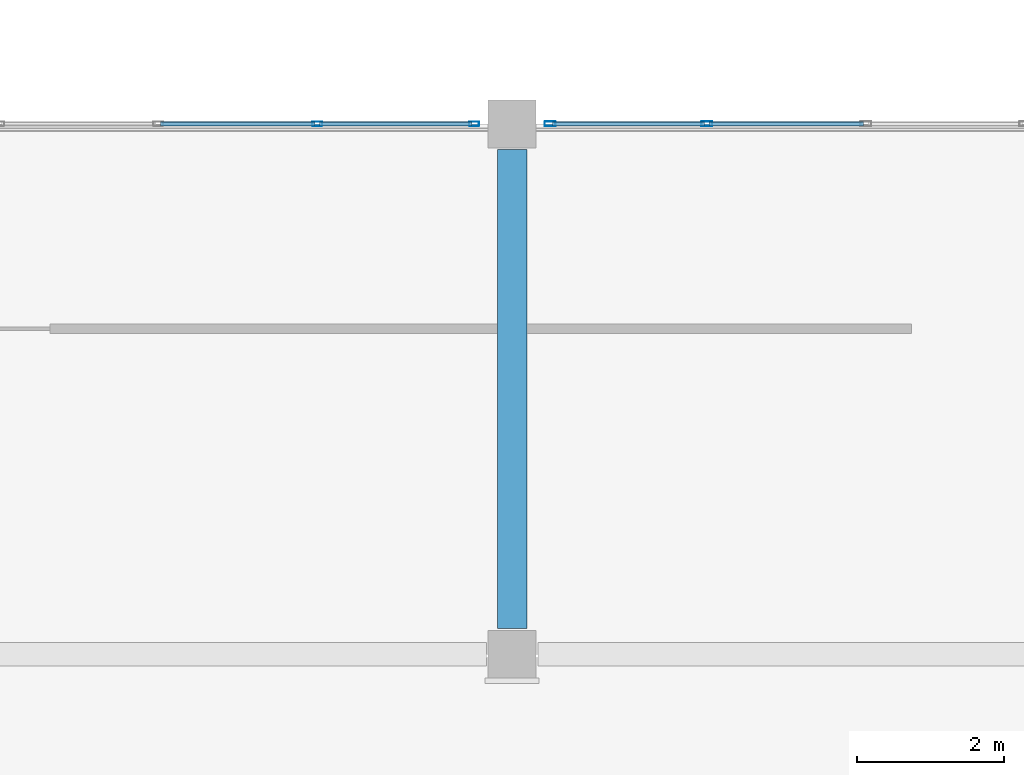
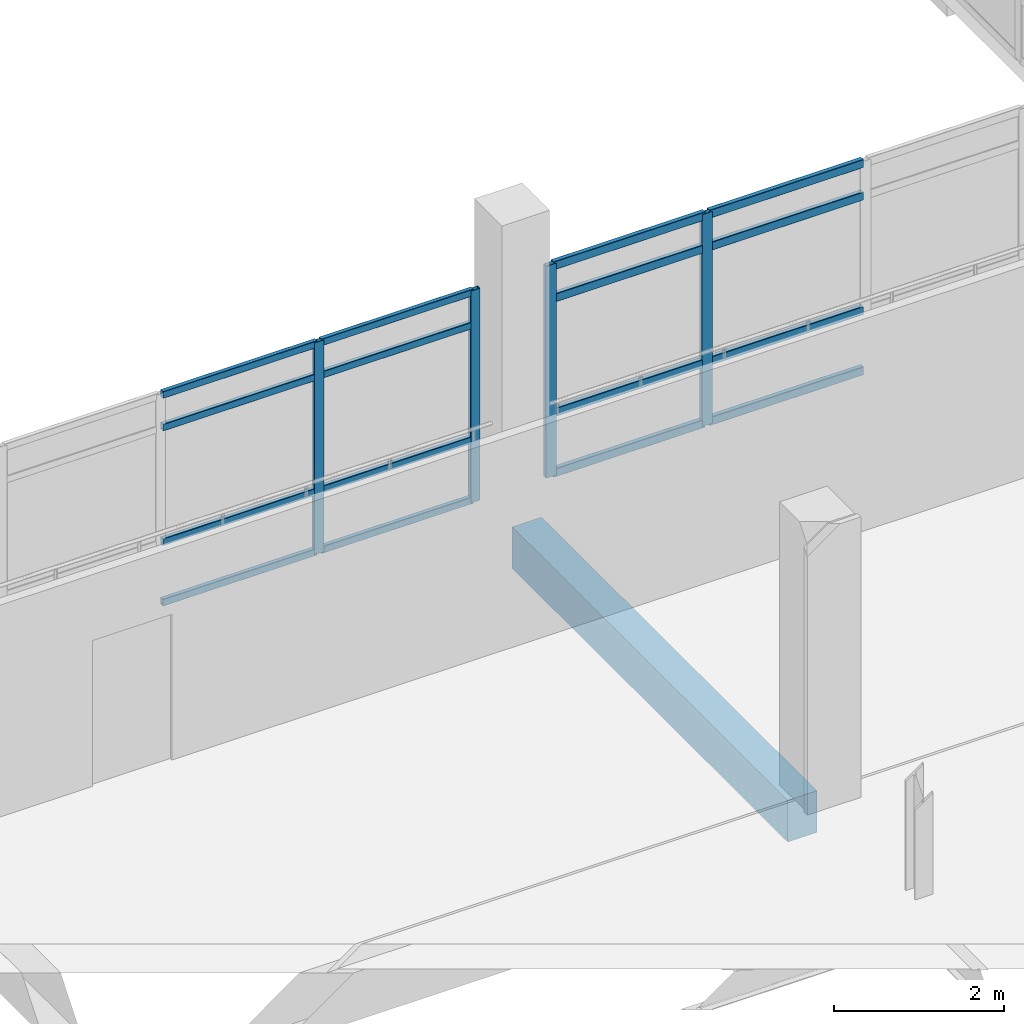
# One storey, part 19 of 72: 20 members, 1 beam, 2 elements without a shape of their own.
"""IFC4 building model written with IfcOpenShell, lengths in metres."""

from ifc_helpers import new_model, si_unit, direction, frame, origin, origin_2d, place, context, subcontext, project, spatial, rectangle, hollow_rectangle, extrude, material, layer, layer_set, material_profile, profile_set, type_object, element, aggregate, save


model = new_model("IFC4")

# Units and contexts
model_context = context("Model", 3, precision=1e-05, world=origin(), true_north=direction((0.0, 1.0)))
body_context = subcontext(model_context, "Body", "Model", "MODEL_VIEW")
ifc_project = project(units=[si_unit("LENGTHUNIT", "METRE"), si_unit("AREAUNIT", "SQUARE_METRE"), si_unit("VOLUMEUNIT", "CUBIC_METRE"), si_unit("PLANEANGLEUNIT", "RADIAN"), si_unit("MASSUNIT", "GRAM", prefix="KILO")], contexts=[model_context])

# Site, building, storey
site_placement = place(None, origin())
site = spatial("IfcSite", under=ifc_project, at=site_placement, CompositionType="ELEMENT")
building_placement = place(site_placement, origin())
building = spatial("IfcBuilding", under=site, at=building_placement, Name="Asteropetra Specialist Clinic", CompositionType="ELEMENT")
storey_placement = place(building_placement, frame((0.0, 0.0, 12.580078125)))
storey = spatial("IfcBuildingStorey", under=building, at=storey_placement, Name="L03", CompositionType="ELEMENT", Elevation=12.580078125)

# Beam
ifc_material_1 = material(Name="Concrete C35/45", Category="concrete")
ifc_material_profile_1 = material_profile(ifc_material_1, rectangle(XDim=0.39990234375, YDim=0.60009765625, at=origin_2d()), Name="RCB 400x600")
ifc_profile_set_1 = profile_set([ifc_material_profile_1], Name="Concrete C35/45")
beam_type = type_object("IfcBeamType", Name="BM-RC400x600", PredefinedType="BEAM", material=ifc_profile_set_1)
beam_placement = place(storey_placement, frame((19.199951171875, 69.949951171875, -0.580078125), z_axis=(0.0, 1.0, 0.0), x_axis=(-1.0, 0.0, 0.0)))
element("IfcBeam", 1, at=beam_placement, inside=storey, type_object=beam_type, Name="Beam BBM08-1598", PredefinedType="BEAM", context=body_context, shape_type="SweptSolid", body=[
    extrude(rectangle(XDim=0.39990234375, YDim=0.60009765625, at=origin_2d()), origin(), (0.0, 0.0, 1.0), 6.5),
])

# Curtain wall, members
ifc_material_2 = material(Name="Aluminium and low-E glass", Category="aluminium")
ifc_layer_1 = layer(ifc_material_2, 0.14990234375)
ifc_layer_set_1 = layer_set([ifc_layer_1], Name="Aluminium and low-E glass")
curtain_wall_type_1 = type_object("IfcCurtainWallType", Name="CW-SYS-02", PredefinedType="USERDEFINED", material=ifc_layer_set_1)
curtain_wall_1_placement = place(storey_placement, origin())
curtain_wall_1 = element("IfcCurtainWall", 2, at=curtain_wall_1_placement, inside=storey, type_object=curtain_wall_type_1, Name="Curtain Wall CW-041", ObjectType="UNITISED CURTAIN WALL", PredefinedType="USERDEFINED")
ifc_material_3 = material(Name="Aluminium 6063-T6", Category="aluminium")
ifc_material_profile_2 = material_profile(ifc_material_3, hollow_rectangle(XDim=0.06005859375, YDim=0.135009765625, WallThickness=0.00341796875, InnerFilletRadius=0.00341796875, OuterFilletRadius=0.007080078125, at=origin_2d()), Name="MUL 135x60x3.5")
ifc_profile_set_2 = profile_set([ifc_material_profile_2], Name="Aluminium 6063-T6")
member_type_1 = type_object("IfcMemberType", Name="CWM-135x60", PredefinedType="MULLION", material=ifc_profile_set_2)
member_1_placement = place(storey_placement, frame((16.5576171875, 76.800048828125, 0.0), z_axis=(0.0, 0.0, 1.0), x_axis=(0.0, 1.0, 0.0)))
member_1 = element("IfcMember", 3, at=member_1_placement, type_object=member_type_1, Name="CW-041 mullion 4", PredefinedType="MULLION", context=body_context, shape_type="SweptSolid", body=[
    extrude(hollow_rectangle(XDim=0.06005859375, YDim=0.135009765625, WallThickness=0.00341796875, InnerFilletRadius=0.00341796875, OuterFilletRadius=0.007080078125, at=origin_2d()), origin(), (0.0, 0.0, 1.0), 3.0498046875),
])
member_2_placement = place(storey_placement, frame((18.68505859375, 76.800048828125, 0.0), z_axis=(0.0, 0.0, 1.0), x_axis=(0.0, 1.0, 0.0)))
member_2 = element("IfcMember", 4, at=member_2_placement, type_object=member_type_1, Name="CW-041 mullion 5", PredefinedType="MULLION", context=body_context, shape_type="SweptSolid", body=[
    extrude(hollow_rectangle(XDim=0.06005859375, YDim=0.135009765625, WallThickness=0.00341796875, InnerFilletRadius=0.00341796875, OuterFilletRadius=0.007080078125, at=origin_2d()), origin(), (0.0, 0.0, 1.0), 3.0498046875),
])

ifc_material_4 = material(Name="Aluminium and low-E glass", Category="aluminium")
ifc_layer_2 = layer(ifc_material_4, 0.135009765625)
ifc_layer_set_2 = layer_set([ifc_layer_2], Name="Aluminium and low-E glass")
curtain_wall_type_2 = type_object("IfcCurtainWallType", Name="CW-SYS-03", PredefinedType="USERDEFINED", material=ifc_layer_set_2)
curtain_wall_2_placement = place(storey_placement, origin())
curtain_wall_2 = element("IfcCurtainWall", 5, at=curtain_wall_2_placement, inside=storey, type_object=curtain_wall_type_2, Name="Curtain Wall CW-043", ObjectType="UNITISED CURTAIN WALL", PredefinedType="USERDEFINED")
ifc_material_5 = material(Name="Aluminium 6063-T6", Category="aluminium")
ifc_material_profile_3 = material_profile(ifc_material_5, hollow_rectangle(XDim=0.06494140625, YDim=0.14990234375, WallThickness=0.00390625, InnerFilletRadius=0.00390625, OuterFilletRadius=0.008056640625, at=origin_2d()), Name="MUL 150x65x4.0")
ifc_profile_set_3 = profile_set([ifc_material_profile_3], Name="Aluminium 6063-T6")
member_type_2 = type_object("IfcMemberType", Name="CWM-150x65", PredefinedType="MULLION", material=ifc_profile_set_3)
member_3_placement = place(storey_placement, frame((19.717529296875, 76.800048828125, 0.0), z_axis=(0.0, 0.0, 1.0), x_axis=(0.0, 1.0, 0.0)))
member_3 = element("IfcMember", 6, at=member_3_placement, type_object=member_type_2, Name="CW-043 mullion 1", PredefinedType="MULLION", context=body_context, shape_type="SweptSolid", body=[
    extrude(hollow_rectangle(XDim=0.06494140625, YDim=0.14990234375, WallThickness=0.00390625, InnerFilletRadius=0.00390625, OuterFilletRadius=0.008056640625, at=origin_2d()), origin(), (0.0, 0.0, 1.0), 3.0498046875),
])
member_4_placement = place(storey_placement, frame((21.842529296875, 76.800048828125, 0.0), z_axis=(0.0, 0.0, 1.0), x_axis=(0.0, 1.0, 0.0)))
member_4 = element("IfcMember", 7, at=member_4_placement, type_object=member_type_2, Name="CW-043 mullion 2", PredefinedType="MULLION", context=body_context, shape_type="SweptSolid", body=[
    extrude(hollow_rectangle(XDim=0.06494140625, YDim=0.14990234375, WallThickness=0.00390625, InnerFilletRadius=0.00390625, OuterFilletRadius=0.008056640625, at=origin_2d()), origin(), (0.0, 0.0, 1.0), 3.0498046875),
])

# Member
ifc_material_6 = material(Name="Aluminium 6063-T6", Category="aluminium")
ifc_material_profile_4 = material_profile(ifc_material_6, hollow_rectangle(XDim=0.06005859375, YDim=0.10009765625, WallThickness=0.00341796875, InnerFilletRadius=0.00341796875, OuterFilletRadius=0.007080078125, at=origin_2d()), Name="TRN 100x60x3.5")
ifc_profile_set_4 = profile_set([ifc_material_profile_4], Name="Aluminium 6063-T6")
member_type_3 = type_object("IfcMemberType", Name="CWT-100x60", PredefinedType="USERDEFINED", material=ifc_profile_set_4)
member_5_placement = place(storey_placement, frame((14.429931640625, 76.800048828125, 0.030029296875), z_axis=(1.0, 0.0, 0.0), x_axis=(0.0, 1.0, 0.0)))
member_5 = element("IfcMember", 8, at=member_5_placement, type_object=member_type_3, Name="CW-041 transom 3.1", ObjectType="TRANSOM", PredefinedType="USERDEFINED", context=body_context, shape_type="SweptSolid", body=[
    extrude(hollow_rectangle(XDim=0.06005859375, YDim=0.10009765625, WallThickness=0.00341796875, InnerFilletRadius=0.00341796875, OuterFilletRadius=0.007080078125, at=origin_2d()), origin(), (0.0, 0.0, 1.0), 2.09765625),
])

member_6_placement = place(storey_placement, frame((14.429931640625, 76.800048828125, 0.89990234375), z_axis=(1.0, 0.0, 0.0), x_axis=(0.0, 1.0, 0.0)))
member_6 = element("IfcMember", 9, at=member_6_placement, type_object=member_type_3, Name="CW-041 transom 3.2", ObjectType="TRANSOM", PredefinedType="USERDEFINED", context=body_context, shape_type="SweptSolid", body=[
    extrude(hollow_rectangle(XDim=0.06005859375, YDim=0.10009765625, WallThickness=0.00341796875, InnerFilletRadius=0.00341796875, OuterFilletRadius=0.007080078125, at=origin_2d()), origin(), (0.0, 0.0, 1.0), 2.09765625),
])

member_7_placement = place(storey_placement, frame((14.429931640625, 76.800048828125, 2.5498046875), z_axis=(1.0, 0.0, 0.0), x_axis=(0.0, 1.0, 0.0)))
member_7 = element("IfcMember", 10, at=member_7_placement, type_object=member_type_3, Name="CW-041 transom 3.3", ObjectType="TRANSOM", PredefinedType="USERDEFINED", context=body_context, shape_type="SweptSolid", body=[
    extrude(hollow_rectangle(XDim=0.06005859375, YDim=0.10009765625, WallThickness=0.00341796875, InnerFilletRadius=0.00341796875, OuterFilletRadius=0.007080078125, at=origin_2d()), origin(), (0.0, 0.0, 1.0), 2.09765625),
])

member_8_placement = place(storey_placement, frame((14.429931640625, 76.800048828125, 3.02001953125), z_axis=(1.0, 0.0, 0.0), x_axis=(0.0, 1.0, 0.0)))
member_8 = element("IfcMember", 11, at=member_8_placement, type_object=member_type_3, Name="CW-041 transom 3.4", ObjectType="TRANSOM", PredefinedType="USERDEFINED", context=body_context, shape_type="SweptSolid", body=[
    extrude(hollow_rectangle(XDim=0.06005859375, YDim=0.10009765625, WallThickness=0.00341796875, InnerFilletRadius=0.00341796875, OuterFilletRadius=0.007080078125, at=origin_2d()), origin(), (0.0, 0.0, 1.0), 2.09765625),
])

member_9_placement = place(storey_placement, frame((16.58740234375, 76.800048828125, 0.030029296875), z_axis=(1.0, 0.0, 0.0), x_axis=(0.0, 1.0, 0.0)))
member_9 = element("IfcMember", 12, at=member_9_placement, type_object=member_type_3, Name="CW-041 transom 4.1", ObjectType="TRANSOM", PredefinedType="USERDEFINED", context=body_context, shape_type="SweptSolid", body=[
    extrude(hollow_rectangle(XDim=0.06005859375, YDim=0.10009765625, WallThickness=0.00341796875, InnerFilletRadius=0.00341796875, OuterFilletRadius=0.007080078125, at=origin_2d()), origin(), (0.0, 0.0, 1.0), 2.067626953125),
])

member_10_placement = place(storey_placement, frame((16.58740234375, 76.800048828125, 0.89990234375), z_axis=(1.0, 0.0, 0.0), x_axis=(0.0, 1.0, 0.0)))
member_10 = element("IfcMember", 13, at=member_10_placement, type_object=member_type_3, Name="CW-041 transom 4.2", ObjectType="TRANSOM", PredefinedType="USERDEFINED", context=body_context, shape_type="SweptSolid", body=[
    extrude(hollow_rectangle(XDim=0.06005859375, YDim=0.10009765625, WallThickness=0.00341796875, InnerFilletRadius=0.00341796875, OuterFilletRadius=0.007080078125, at=origin_2d()), origin(), (0.0, 0.0, 1.0), 2.067626953125),
])

member_11_placement = place(storey_placement, frame((16.58740234375, 76.800048828125, 2.5498046875), z_axis=(1.0, 0.0, 0.0), x_axis=(0.0, 1.0, 0.0)))
member_11 = element("IfcMember", 14, at=member_11_placement, type_object=member_type_3, Name="CW-041 transom 4.3", ObjectType="TRANSOM", PredefinedType="USERDEFINED", context=body_context, shape_type="SweptSolid", body=[
    extrude(hollow_rectangle(XDim=0.06005859375, YDim=0.10009765625, WallThickness=0.00341796875, InnerFilletRadius=0.00341796875, OuterFilletRadius=0.007080078125, at=origin_2d()), origin(), (0.0, 0.0, 1.0), 2.067626953125),
])

member_12_placement = place(storey_placement, frame((16.58740234375, 76.800048828125, 3.02001953125), z_axis=(1.0, 0.0, 0.0), x_axis=(0.0, 1.0, 0.0)))
member_12 = element("IfcMember", 15, at=member_12_placement, type_object=member_type_3, Name="CW-041 transom 4.4", ObjectType="TRANSOM", PredefinedType="USERDEFINED", context=body_context, shape_type="SweptSolid", body=[
    extrude(hollow_rectangle(XDim=0.06005859375, YDim=0.10009765625, WallThickness=0.00341796875, InnerFilletRadius=0.00341796875, OuterFilletRadius=0.007080078125, at=origin_2d()), origin(), (0.0, 0.0, 1.0), 2.067626953125),
])

aggregate(curtain_wall_1, [member_1, member_2, member_5, member_6, member_7, member_8, member_9, member_10, member_11, member_12])

ifc_material_7 = material(Name="Aluminium 6063-T6", Category="aluminium")
ifc_material_profile_5 = material_profile(ifc_material_7, hollow_rectangle(XDim=0.06494140625, YDim=0.1201171875, WallThickness=0.00390625, InnerFilletRadius=0.00390625, OuterFilletRadius=0.008056640625, at=origin_2d()), Name="TRN 120x65x4.0")
ifc_profile_set_5 = profile_set([ifc_material_profile_5], Name="Aluminium 6063-T6")
member_type_4 = type_object("IfcMemberType", Name="CWT-120x65", PredefinedType="USERDEFINED", material=ifc_profile_set_5)
member_13_placement = place(storey_placement, frame((19.75, 76.800048828125, 0.032470703125), z_axis=(1.0, 0.0, 0.0), x_axis=(0.0, 1.0, 0.0)))
member_13 = element("IfcMember", 16, at=member_13_placement, type_object=member_type_4, Name="CW-043 transom 1.1", ObjectType="TRANSOM", PredefinedType="USERDEFINED", context=body_context, shape_type="SweptSolid", body=[
    extrude(hollow_rectangle(XDim=0.06494140625, YDim=0.1201171875, WallThickness=0.00390625, InnerFilletRadius=0.00390625, OuterFilletRadius=0.008056640625, at=origin_2d()), origin(), (0.0, 0.0, 1.0), 2.06005859375),
])

member_14_placement = place(storey_placement, frame((19.75, 76.800048828125, 0.89990234375), z_axis=(1.0, 0.0, 0.0), x_axis=(0.0, 1.0, 0.0)))
member_14 = element("IfcMember", 17, at=member_14_placement, type_object=member_type_4, Name="CW-043 transom 1.2", ObjectType="TRANSOM", PredefinedType="USERDEFINED", context=body_context, shape_type="SweptSolid", body=[
    extrude(hollow_rectangle(XDim=0.06494140625, YDim=0.1201171875, WallThickness=0.00390625, InnerFilletRadius=0.00390625, OuterFilletRadius=0.008056640625, at=origin_2d()), origin(), (0.0, 0.0, 1.0), 2.06005859375),
])

member_15_placement = place(storey_placement, frame((19.75, 76.800048828125, 2.5498046875), z_axis=(1.0, 0.0, 0.0), x_axis=(0.0, 1.0, 0.0)))
member_15 = element("IfcMember", 18, at=member_15_placement, type_object=member_type_4, Name="CW-043 transom 1.3", ObjectType="TRANSOM", PredefinedType="USERDEFINED", context=body_context, shape_type="SweptSolid", body=[
    extrude(hollow_rectangle(XDim=0.06494140625, YDim=0.1201171875, WallThickness=0.00390625, InnerFilletRadius=0.00390625, OuterFilletRadius=0.008056640625, at=origin_2d()), origin(), (0.0, 0.0, 1.0), 2.06005859375),
])

member_16_placement = place(storey_placement, frame((19.75, 76.800048828125, 3.017333984375), z_axis=(1.0, 0.0, 0.0), x_axis=(0.0, 1.0, 0.0)))
member_16 = element("IfcMember", 19, at=member_16_placement, type_object=member_type_4, Name="CW-043 transom 1.4", ObjectType="TRANSOM", PredefinedType="USERDEFINED", context=body_context, shape_type="SweptSolid", body=[
    extrude(hollow_rectangle(XDim=0.06494140625, YDim=0.1201171875, WallThickness=0.00390625, InnerFilletRadius=0.00390625, OuterFilletRadius=0.008056640625, at=origin_2d()), origin(), (0.0, 0.0, 1.0), 2.06005859375),
])

member_17_placement = place(storey_placement, frame((21.875, 76.800048828125, 0.032470703125), z_axis=(1.0, 0.0, 0.0), x_axis=(0.0, 1.0, 0.0)))
member_17 = element("IfcMember", 20, at=member_17_placement, type_object=member_type_4, Name="CW-043 transom 2.1", ObjectType="TRANSOM", PredefinedType="USERDEFINED", context=body_context, shape_type="SweptSolid", body=[
    extrude(hollow_rectangle(XDim=0.06494140625, YDim=0.1201171875, WallThickness=0.00390625, InnerFilletRadius=0.00390625, OuterFilletRadius=0.008056640625, at=origin_2d()), origin(), (0.0, 0.0, 1.0), 2.092529296875),
])

member_18_placement = place(storey_placement, frame((21.875, 76.800048828125, 0.89990234375), z_axis=(1.0, 0.0, 0.0), x_axis=(0.0, 1.0, 0.0)))
member_18 = element("IfcMember", 21, at=member_18_placement, type_object=member_type_4, Name="CW-043 transom 2.2", ObjectType="TRANSOM", PredefinedType="USERDEFINED", context=body_context, shape_type="SweptSolid", body=[
    extrude(hollow_rectangle(XDim=0.06494140625, YDim=0.1201171875, WallThickness=0.00390625, InnerFilletRadius=0.00390625, OuterFilletRadius=0.008056640625, at=origin_2d()), origin(), (0.0, 0.0, 1.0), 2.092529296875),
])

member_19_placement = place(storey_placement, frame((21.875, 76.800048828125, 2.5498046875), z_axis=(1.0, 0.0, 0.0), x_axis=(0.0, 1.0, 0.0)))
member_19 = element("IfcMember", 22, at=member_19_placement, type_object=member_type_4, Name="CW-043 transom 2.3", ObjectType="TRANSOM", PredefinedType="USERDEFINED", context=body_context, shape_type="SweptSolid", body=[
    extrude(hollow_rectangle(XDim=0.06494140625, YDim=0.1201171875, WallThickness=0.00390625, InnerFilletRadius=0.00390625, OuterFilletRadius=0.008056640625, at=origin_2d()), origin(), (0.0, 0.0, 1.0), 2.092529296875),
])

member_20_placement = place(storey_placement, frame((21.875, 76.800048828125, 3.017333984375), z_axis=(1.0, 0.0, 0.0), x_axis=(0.0, 1.0, 0.0)))
member_20 = element("IfcMember", 23, at=member_20_placement, type_object=member_type_4, Name="CW-043 transom 2.4", ObjectType="TRANSOM", PredefinedType="USERDEFINED", context=body_context, shape_type="SweptSolid", body=[
    extrude(hollow_rectangle(XDim=0.06494140625, YDim=0.1201171875, WallThickness=0.00390625, InnerFilletRadius=0.00390625, OuterFilletRadius=0.008056640625, at=origin_2d()), origin(), (0.0, 0.0, 1.0), 2.092529296875),
])

aggregate(curtain_wall_2, [member_3, member_4, member_13, member_14, member_15, member_16, member_17, member_18, member_19, member_20])

save(model, "model.ifc")
